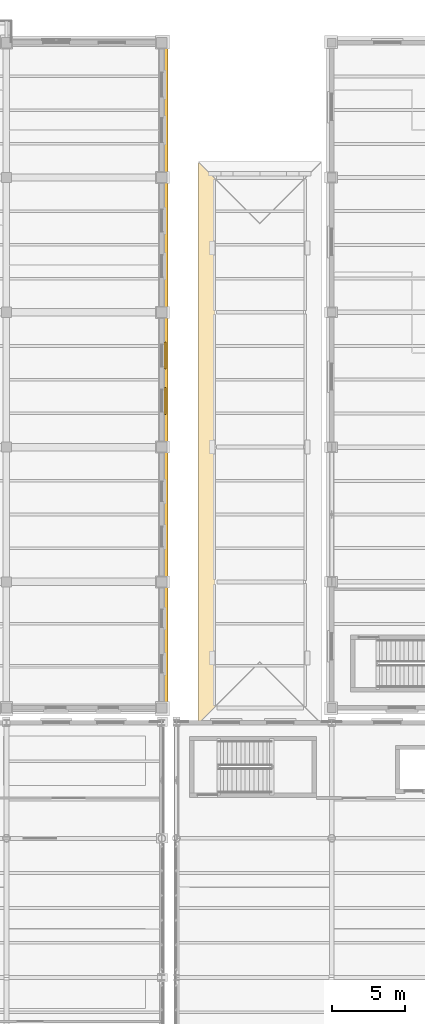
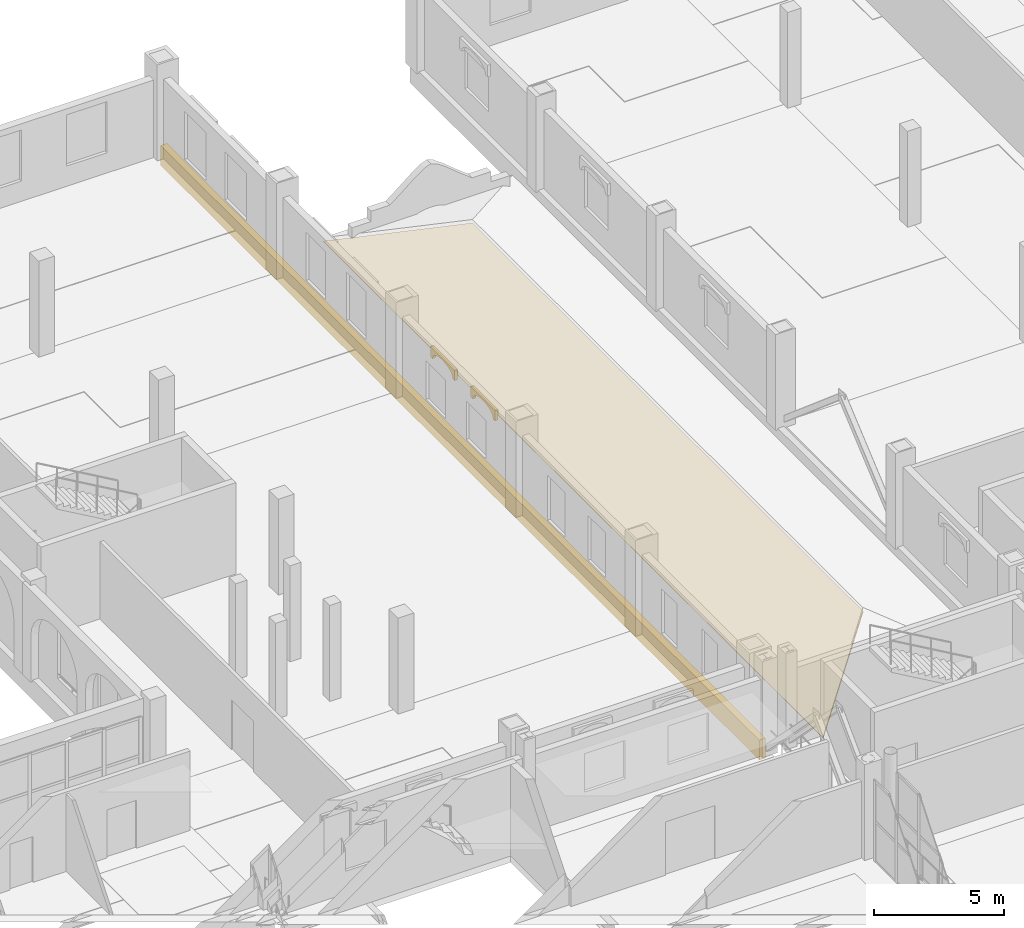
# One storey, part 145 of 156: 4 coverings.
"""IFC4 building model written with IfcOpenShell, lengths in metres."""

from ifc_helpers import new_model, si_unit, direction, frame, frame_2d, origin, place, context, subcontext, project, spatial, polyline, rectangle, outline, extrude, material, layer, layer_set, type_object, element, save


model = new_model("IFC4")

# Units and contexts
model_context = context("Model", 3, precision=1e-05, world=origin(), true_north=direction((0.0, 1.0)))
body_context = subcontext(model_context, "Body", "Model", "MODEL_VIEW")
ifc_project = project(units=[si_unit("LENGTHUNIT", "METRE"), si_unit("AREAUNIT", "SQUARE_METRE"), si_unit("VOLUMEUNIT", "CUBIC_METRE"), si_unit("PLANEANGLEUNIT", "RADIAN"), si_unit("MASSUNIT", "GRAM", prefix="KILO")], contexts=[model_context])

# Site, building, storey
site_placement = place(None, origin())
site = spatial("IfcSite", under=ifc_project, at=site_placement, CompositionType="ELEMENT")
building_placement = place(site_placement, origin())
building = spatial("IfcBuilding", under=site, at=building_placement, Name="Caurita Quay Ferry Terminal", CompositionType="ELEMENT")
storey_placement = place(building_placement, frame((0.0, 0.0, 5.39990234375)))
storey = spatial("IfcBuildingStorey", under=building, at=storey_placement, Name="L01", CompositionType="ELEMENT", Elevation=5.39990234375)

# Coverings
ifc_material_1 = material(Name="Coral stone ashlar cladding", Category="masonry")
ifc_layer_1 = layer(ifc_material_1, 0.239990234375, Name="Classical coral-stone entablature and cornice moulding 240 mm")
ifc_layer_set_1 = layer_set([ifc_layer_1], Name="Coral stone ashlar cladding")
covering_type_1 = type_object("IfcCoveringType", Name="COV-ENT-MLD", PredefinedType="MOLDING", material=ifc_layer_set_1)
covering_1_placement = place(storey_placement, frame((87.8798828125, 71.300048828125, -0.849853515625), z_axis=(0.0, 0.0, 1.0), x_axis=(0.0, 1.0, 0.0)))
element("IfcCovering", 1, at=covering_1_placement, inside=storey, type_object=covering_type_1, Name="L01 Classical Entablature Cornice 011", PredefinedType="MOLDING", context=body_context, shape_type="SweptSolid", body=[
    extrude(rectangle(XDim=46.0, YDim=0.280029296875, at=frame_2d((23.0, 0.0))), origin(), (0.0, 0.0, 1.0), 0.929931640625),
])
ifc_material_2 = material(Name="Terracotta clay barrel tile", Category="masonry")
ifc_layer_2 = layer(ifc_material_2, 0.06494140625, Name="Terracotta clay barrel-tile roofing course")
ifc_layer_set_2 = layer_set([ifc_layer_2], Name="Terracotta clay barrel tile")
covering_type_2 = type_object("IfcCoveringType", Name="COV-TEJA-ROOF", PredefinedType="ROOFING", material=ifc_layer_set_2)
covering_2_placement = place(storey_placement, frame((90.10009765625, 108.89990234375, -0.139892578125), z_axis=(-0.417540247903, 0.0, 0.908658429434), x_axis=(0.0, -1.0, 0.0)))
element("IfcCovering", 2, at=covering_2_placement, inside=storey, type_object=covering_type_2, Name="Terracotta Roof Timber Decking PORTICO-W", PredefinedType="ROOFING", context=body_context, shape_type="SweptSolid", body=[
    extrude(outline(polyline([(0.0, 0.0), (38.39990234375, 0.0), (34.199951171875, 4.622145171196994), (4.199951171875, 4.622145171196994), (0.0, 0.0)])), origin(), (0.0, 0.0, -1.0), 0.054931640625),
])
ifc_layer_3 = layer(ifc_material_1, 0.139892578125, Name="Spanish Colonial semicircular arched window surround 140 mm")
ifc_layer_set_3 = layer_set([ifc_layer_3], Name="Coral stone ashlar cladding")
covering_type_3 = type_object("IfcCoveringType", Name="COV-WHD-MLD", PredefinedType="MOLDING", material=ifc_layer_set_3)
covering_3_placement = place(storey_placement, frame((87.81494140625, 91.6201171875, 2.72998046875), z_axis=(0.0, 0.0, 1.0), x_axis=(0.0, 1.0, 0.0)))
element("IfcCovering", 3, at=covering_3_placement, inside=storey, type_object=covering_type_3, Name="L01 Arched Window Surround 085", PredefinedType="MOLDING", context=body_context, shape_type="SweptSolid", body=[
    extrude(outline(polyline([(0.0, 0.0), (0.159912109375, 0.0), (0.159912109375, 0.0400390625), (0.19775390625, 0.1513671875), (0.30712890625, 0.251708984375), (0.477294921875, 0.331298828125), (0.69189453125, 0.38232421875), (0.929931640625, 0.39990234375), (1.16796875, 0.38232421875), (1.382568359375, 0.331298828125), (1.552734375, 0.251708984375), (1.662109375, 0.1513671875), (1.699951171875, 0.0400390625), (1.699951171875, 0.0), (1.85986328125, 0.0), (1.85986328125, 0.480224609375), (0.0, 0.480224609375), (0.0, 0.0)])), frame((0.0, 0.06982421875, 0.0), z_axis=(0.0, -1.0, 0.0), x_axis=(1.0, 0.0, 0.0)), (0.0, 0.0, 1.0), 0.139892578125),
])
covering_4_placement = place(storey_placement, frame((87.81494140625, 94.719970703125, 2.72998046875), z_axis=(0.0, 0.0, 1.0), x_axis=(0.0, 1.0, 0.0)))
element("IfcCovering", 4, at=covering_4_placement, inside=storey, type_object=covering_type_3, Name="L01 Arched Window Surround 086", PredefinedType="MOLDING", context=body_context, shape_type="SweptSolid", body=[
    extrude(outline(polyline([(0.0, 0.0), (0.159912109375, 0.0), (0.159912109375, 0.0400390625), (0.19775390625, 0.1513671875), (0.30712890625, 0.251708984375), (0.4775390625, 0.331298828125), (0.692138671875, 0.38232421875), (0.929931640625, 0.39990234375), (1.16796875, 0.38232421875), (1.382568359375, 0.331298828125), (1.552978515625, 0.251708984375), (1.662353515625, 0.1513671875), (1.7001953125, 0.0400390625), (1.7001953125, 0.0), (1.860107421875, 0.0), (1.860107421875, 0.480224609375), (0.0, 0.480224609375), (0.0, 0.0)])), frame((0.0, 0.06982421875, 0.0), z_axis=(0.0, -1.0, 0.0), x_axis=(1.0, 0.0, 0.0)), (0.0, 0.0, 1.0), 0.139892578125),
])

save(model, "model.ifc")
